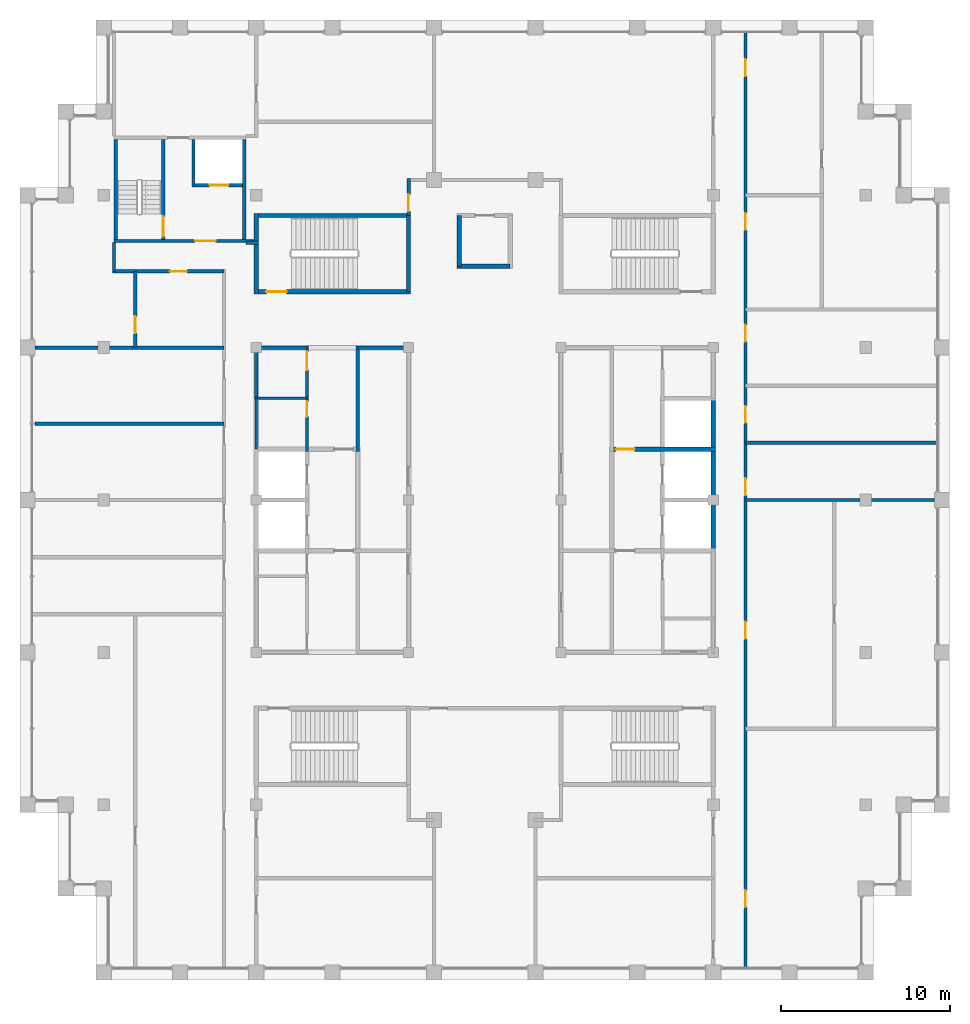
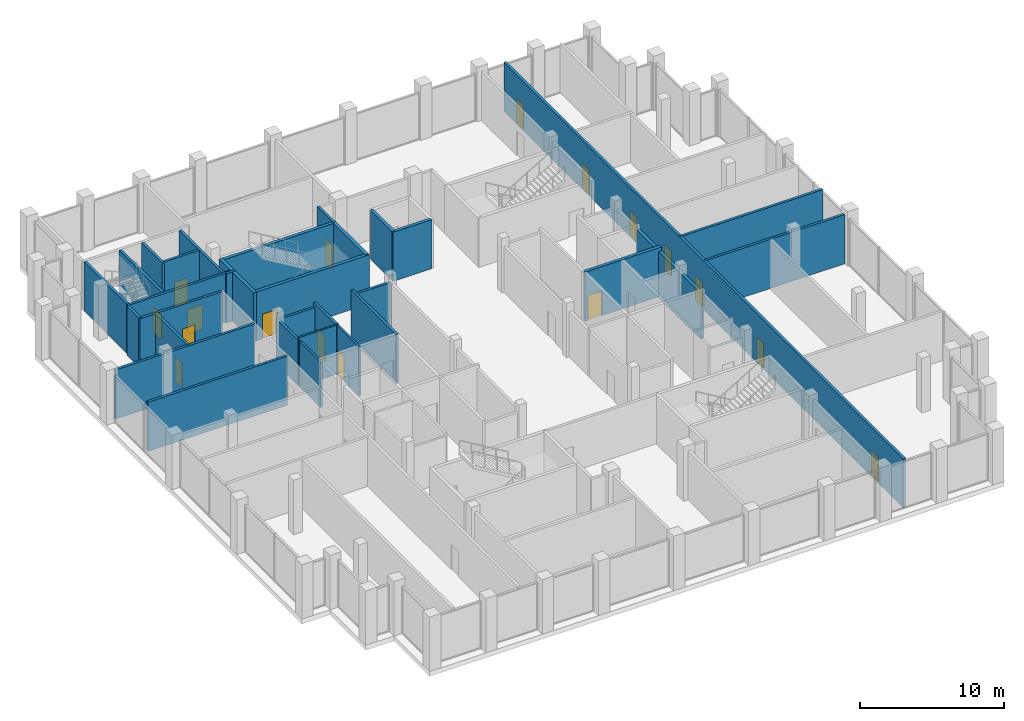
# One storey, part 9 of 12: 32 walls, 17 doors, 17 openings.
"""IFC4 building model written with IfcOpenShell, lengths in metres."""

from ifc_helpers import new_model, si_unit, direction, frame, frame_2d, origin, place, context, subcontext, project, spatial, rectangle, extrude, material, layer, layer_set, type_object, element, fill, save


model = new_model("IFC4")

# Units and contexts
model_context = context("Model", 3, precision=1e-05, world=origin(), true_north=direction((0.0, 1.0)))
body_context = subcontext(model_context, "Body", "Model", "MODEL_VIEW")
ifc_project = project(units=[si_unit("LENGTHUNIT", "METRE"), si_unit("AREAUNIT", "SQUARE_METRE"), si_unit("VOLUMEUNIT", "CUBIC_METRE"), si_unit("PLANEANGLEUNIT", "RADIAN"), si_unit("MASSUNIT", "GRAM", prefix="KILO")], contexts=[model_context])

# Site, building, storey
site_placement = place(None, origin())
site = spatial("IfcSite", under=ifc_project, at=site_placement, CompositionType="ELEMENT")
building_placement = place(site_placement, origin())
building = spatial("IfcBuilding", under=site, at=building_placement, Name="Corbelhall Arena Tower", CompositionType="ELEMENT")
storey_placement = place(building_placement, frame((0.0, 0.0, 356.0)))
storey = spatial("IfcBuildingStorey", under=building, at=storey_placement, Name="L78", CompositionType="ELEMENT", Elevation=356.0)

# Walls
ifc_material_1 = material(Name="Gypsum board on steel stud, acoustic", Category="steel")
ifc_layer_1 = layer(ifc_material_1, 0.199951171875)
ifc_layer_set_1 = layer_set([ifc_layer_1], Name="IN-W-DM200")
wall_type_1 = type_object("IfcWallType", Name="IN-W-DM200", PredefinedType="PARTITIONING", material=ifc_layer_set_1)
for number, where, z_axis, x_axis, name in (
    (1, (-26.550048828125, 4.5, 0.0), (0.0, 0.0, 1.0), (1.0, 0.0, 0.0), "Partition 003"),
    (2, (-26.550048828125, 9.0, 0.0), (0.0, 0.0, 1.0), (1.0, 0.0, 0.0), "Partition 004"),
):
    element("IfcWall", number, at=place(storey_placement, frame(where, z_axis=z_axis, x_axis=x_axis)), inside=storey, type_object=wall_type_1, Name=name, PredefinedType="PARTITIONING", context=body_context, shape_type="SweptSolid", body=[
        extrude(rectangle(XDim=11.150146484375, YDim=0.199951171875, at=frame_2d((5.5751953125, 0.0))), origin(), (0.0, 0.0, 1.0), 4.149658203125),
    ])
wall_1_placement = place(storey_placement, frame((-21.89990234375, 13.5, 0.0), z_axis=(0.0, 0.0, 1.0), x_axis=(0.0, 1.0, 0.0)))
element("IfcWall", 3, at=wall_1_placement, inside=storey, type_object=wall_type_1, Name="Partition 005", PredefinedType="PARTITIONING", context=body_context, shape_type="SweptSolid", body=[
    extrude(rectangle(XDim=1.699951171875, YDim=0.199951171875, at=frame_2d((0.85009765625, 0.0))), origin(), (0.0, 0.0, 1.0), 4.149658203125),
])

# Wall, opening, door
wall_2_placement = place(storey_placement, frame((-20.64990234375, 9.0, 0.0), z_axis=(0.0, 0.0, 1.0), x_axis=(0.0, 1.0, 0.0)))
wall_2 = element("IfcWall", 4, at=wall_2_placement, inside=storey, type_object=wall_type_1, Name="Partition 008", PredefinedType="PARTITIONING", context=body_context, shape_type="SweptSolid", body=[
    extrude(rectangle(XDim=4.5, YDim=0.199951171875, at=frame_2d((2.25, 0.0))), origin(), (0.0, 0.0, 1.0), 4.149658203125),
])
opening_1_placement = place(wall_2_placement, frame((0.85009765625, 0.0, 0.0)))
opening_1 = element("IfcOpeningElement", 5, at=opening_1_placement, cuts=wall_2, Name="Opening 32031", PredefinedType="OPENING", context=body_context, shape_type="SweptSolid", body=[
    extrude(rectangle(XDim=1.0, YDim=2.10009765625, at=frame_2d((0.5, 1.050048828125))), frame((0.0, 0.10009765625, 0.0), z_axis=(0.0, -1.0, 0.0), x_axis=(1.0, 0.0, 0.0)), (0.0, 0.0, 1.0), 0.199951171875),
])
ifc_material_2 = material(Name="Steel door set", Category="steel")
door_type_1 = type_object("IfcDoorType", Name="IN-D-SW100", OperationType="NOTDEFINED", PredefinedType="DOOR", material=ifc_material_2)
door_1_placement = place(opening_1_placement, origin())
door_1 = element("IfcDoor", 6, at=door_1_placement, inside=storey, type_object=door_type_1, Name="Door 031", OperationType="SINGLE_SWING_RIGHT", OverallHeight=2.10009765625, OverallWidth=1.0, PredefinedType="DOOR", context=body_context, shape_type="SweptSolid", body=[
    extrude(rectangle(XDim=1.0, YDim=2.10009765625, at=frame_2d((0.5, 1.050048828125))), frame((0.0, 0.02490234375, 0.0), z_axis=(0.0, -1.0, 0.0), x_axis=(1.0, 0.0, 0.0)), (0.0, 0.0, 1.0), 0.050048828125),
])
fill(opening_1, door_1)

wall_3_placement = place(storey_placement, frame((-15.39990234375, 13.5, 0.0), z_axis=(0.0, 0.0, 1.0), x_axis=(-1.0, 0.0, 0.0)))
wall_3 = element("IfcWall", 7, at=wall_3_placement, inside=storey, type_object=wall_type_1, Name="Partition 009", PredefinedType="PARTITIONING", context=body_context, shape_type="SweptSolid", body=[
    extrude(rectangle(XDim=6.60009765625, YDim=0.199951171875, at=frame_2d((3.300048828125, 0.0))), origin(), (0.0, 0.0, 1.0), 4.149658203125),
])
opening_2_placement = place(wall_3_placement, frame((2.199951171875, 0.0, 0.0)))
opening_2 = element("IfcOpeningElement", 8, at=opening_2_placement, cuts=wall_3, Name="Opening 32030", PredefinedType="OPENING", context=body_context, shape_type="SweptSolid", body=[
    extrude(rectangle(XDim=1.0, YDim=2.10009765625, at=frame_2d((0.5, 1.050048828125))), frame((0.0, 0.10009765625, 0.0), z_axis=(0.0, -1.0, 0.0), x_axis=(1.0, 0.0, 0.0)), (0.0, 0.0, 1.0), 0.199951171875),
])
door_2_placement = place(opening_2_placement, origin())
door_2 = element("IfcDoor", 9, at=door_2_placement, inside=storey, type_object=door_type_1, Name="Door 030", OperationType="SINGLE_SWING_LEFT", OverallHeight=2.10009765625, OverallWidth=1.0, PredefinedType="DOOR", context=body_context, shape_type="SweptSolid", body=[
    extrude(rectangle(XDim=1.0, YDim=2.10009765625, at=frame_2d((0.5, 1.050048828125))), frame((0.0, 0.02490234375, 0.0), z_axis=(0.0, -1.0, 0.0), x_axis=(1.0, 0.0, 0.0)), (0.0, 0.0, 1.0), 0.050048828125),
])
fill(opening_2, door_2)

# Wall
wall_4_placement = place(storey_placement, frame((-14.10009765625, 15.199951171875, 0.0), z_axis=(0.0, 0.0, 1.0), x_axis=(1.0, 0.0, 0.0)))
element("IfcWall", 10, at=wall_4_placement, inside=storey, type_object=wall_type_1, Name="Partition 012", PredefinedType="PARTITIONING", context=body_context, shape_type="SweptSolid", body=[
    extrude(rectangle(XDim=0.72509765625, YDim=0.199951171875, at=frame_2d((0.362548828125, 0.0))), origin(), (0.0, 0.0, 1.0), 4.149658203125),
])

# Wall, opening, door
wall_5_placement = place(storey_placement, frame((-4.5, 16.800048828125, 0.0), z_axis=(0.0, 0.0, 1.0), x_axis=(0.0, 1.0, 0.0)))
wall_5 = element("IfcWall", 11, at=wall_5_placement, inside=storey, type_object=wall_type_1, Name="Partition 019", PredefinedType="PARTITIONING", context=body_context, shape_type="SweptSolid", body=[
    extrude(rectangle(XDim=2.199951171875, YDim=0.199951171875, at=frame_2d((1.10009765625, 0.0))), origin(), (0.0, 0.0, 1.0), 4.149658203125),
])
opening_3_placement = place(wall_5_placement, frame((0.25, 0.0, 0.0)))
opening_3 = element("IfcOpeningElement", 12, at=opening_3_placement, cuts=wall_5, Name="Opening 32021", PredefinedType="OPENING", context=body_context, shape_type="SweptSolid", body=[
    extrude(rectangle(XDim=1.0, YDim=2.10009765625, at=frame_2d((0.5, 1.050048828125))), frame((0.0, 0.10009765625, 0.0), z_axis=(0.0, -1.0, 0.0), x_axis=(1.0, 0.0, 0.0)), (0.0, 0.0, 1.0), 0.199951171875),
])
door_3_placement = place(opening_3_placement, origin())
door_3 = element("IfcDoor", 13, at=door_3_placement, inside=storey, type_object=door_type_1, Name="Door 021", OperationType="SINGLE_SWING_RIGHT", OverallHeight=2.10009765625, OverallWidth=1.0, PredefinedType="DOOR", context=body_context, shape_type="SweptSolid", body=[
    extrude(rectangle(XDim=1.0, YDim=2.10009765625, at=frame_2d((0.5, 1.050048828125))), frame((0.0, 0.02490234375, 0.0), z_axis=(0.0, -1.0, 0.0), x_axis=(1.0, 0.0, 0.0)), (0.0, 0.0, 1.0), 0.050048828125),
])
fill(opening_3, door_3)

# Wall, openings, doors
wall_6_placement = place(storey_placement, frame((15.39990234375, 27.635986328125, 0.0), z_axis=(0.0, 0.0, 1.0), x_axis=(0.0, -1.0, 0.0)))
wall_6 = element("IfcWall", 14, at=wall_6_placement, inside=storey, type_object=wall_type_1, Name="Partition 032", PredefinedType="PARTITIONING", context=body_context, shape_type="SweptSolid", body=[
    extrude(rectangle(XDim=55.27197265625, YDim=0.199951171875, at=frame_2d((27.635986328125, 0.0))), origin(), (0.0, 0.0, 1.0), 4.149658203125),
])
opening_4_placement = place(wall_6_placement, frame((26.361083984375, 0.0, 0.0)))
opening_4 = element("IfcOpeningElement", 15, at=opening_4_placement, cuts=wall_6, Name="Opening 32036", PredefinedType="OPENING", context=body_context, shape_type="SweptSolid", body=[
    extrude(rectangle(XDim=1.0, YDim=2.10009765625, at=frame_2d((0.5, 1.050048828125))), frame((0.0, 0.10009765625, 0.0), z_axis=(0.0, -1.0, 0.0), x_axis=(1.0, 0.0, 0.0)), (0.0, 0.0, 1.0), 0.199951171875),
])
opening_5_placement = place(wall_6_placement, frame((22.0859375, 0.0, 0.0)))
opening_5 = element("IfcOpeningElement", 16, at=opening_5_placement, cuts=wall_6, Name="Opening 32037", PredefinedType="OPENING", context=body_context, shape_type="SweptSolid", body=[
    extrude(rectangle(XDim=1.0, YDim=2.10009765625, at=frame_2d((0.5, 1.050048828125))), frame((0.0, 0.10009765625, 0.0), z_axis=(0.0, -1.0, 0.0), x_axis=(1.0, 0.0, 0.0)), (0.0, 0.0, 1.0), 0.199951171875),
])
opening_6_placement = place(wall_6_placement, frame((17.285888671875, 0.0, 0.0)))
opening_6 = element("IfcOpeningElement", 17, at=opening_6_placement, cuts=wall_6, Name="Opening 32038", PredefinedType="OPENING", context=body_context, shape_type="SweptSolid", body=[
    extrude(rectangle(XDim=1.0, YDim=2.10009765625, at=frame_2d((0.5, 1.050048828125))), frame((0.0, 0.10009765625, 0.0), z_axis=(0.0, -1.0, 0.0), x_axis=(1.0, 0.0, 0.0)), (0.0, 0.0, 1.0), 0.199951171875),
])
opening_7_placement = place(wall_6_placement, frame((10.68603515625, 0.0, 0.0)))
opening_7 = element("IfcOpeningElement", 18, at=opening_7_placement, cuts=wall_6, Name="Opening 32039", PredefinedType="OPENING", context=body_context, shape_type="SweptSolid", body=[
    extrude(rectangle(XDim=1.0, YDim=2.10009765625, at=frame_2d((0.5, 1.050048828125))), frame((0.0, 0.10009765625, 0.0), z_axis=(0.0, -1.0, 0.0), x_axis=(1.0, 0.0, 0.0)), (0.0, 0.0, 1.0), 0.199951171875),
])
opening_8_placement = place(wall_6_placement, frame((1.60009765625, 0.0, 0.0)))
opening_8 = element("IfcOpeningElement", 19, at=opening_8_placement, cuts=wall_6, Name="Opening 32040", PredefinedType="OPENING", context=body_context, shape_type="SweptSolid", body=[
    extrude(rectangle(XDim=1.0, YDim=2.10009765625, at=frame_2d((0.5, 1.050048828125))), frame((0.0, 0.10009765625, 0.0), z_axis=(0.0, -1.0, 0.0), x_axis=(1.0, 0.0, 0.0)), (0.0, 0.0, 1.0), 0.199951171875),
])
opening_9_placement = place(wall_6_placement, frame((50.68603515625, 0.0, 0.0)))
opening_9 = element("IfcOpeningElement", 20, at=opening_9_placement, cuts=wall_6, Name="Opening 32042", PredefinedType="OPENING", context=body_context, shape_type="SweptSolid", body=[
    extrude(rectangle(XDim=1.0, YDim=2.10009765625, at=frame_2d((0.5, 1.050048828125))), frame((0.0, 0.10009765625, 0.0), z_axis=(0.0, -1.0, 0.0), x_axis=(1.0, 0.0, 0.0)), (0.0, 0.0, 1.0), 0.199951171875),
])
opening_10_placement = place(wall_6_placement, frame((34.8359375, 0.0, 0.0)))
opening_10 = element("IfcOpeningElement", 21, at=opening_10_placement, cuts=wall_6, Name="Opening 32043", PredefinedType="OPENING", context=body_context, shape_type="SweptSolid", body=[
    extrude(rectangle(XDim=1.0, YDim=2.10009765625, at=frame_2d((0.5, 1.050048828125))), frame((0.0, 0.10009765625, 0.0), z_axis=(0.0, -1.0, 0.0), x_axis=(1.0, 0.0, 0.0)), (0.0, 0.0, 1.0), 0.199951171875),
])
door_4_placement = place(opening_4_placement, origin())
door_4 = element("IfcDoor", 22, at=door_4_placement, inside=storey, type_object=door_type_1, Name="Door 036", OperationType="SINGLE_SWING_LEFT", OverallHeight=2.10009765625, OverallWidth=1.0, PredefinedType="DOOR", context=body_context, shape_type="SweptSolid", body=[
    extrude(rectangle(XDim=1.0, YDim=2.10009765625, at=frame_2d((0.5, 1.050048828125))), frame((0.0, 0.02490234375, 0.0), z_axis=(0.0, -1.0, 0.0), x_axis=(1.0, 0.0, 0.0)), (0.0, 0.0, 1.0), 0.050048828125),
])
fill(opening_4, door_4)
door_5_placement = place(opening_5_placement, origin())
door_5 = element("IfcDoor", 23, at=door_5_placement, inside=storey, type_object=door_type_1, Name="Door 037", OperationType="SINGLE_SWING_RIGHT", OverallHeight=2.10009765625, OverallWidth=1.0, PredefinedType="DOOR", context=body_context, shape_type="SweptSolid", body=[
    extrude(rectangle(XDim=1.0, YDim=2.10009765625, at=frame_2d((0.5, 1.050048828125))), frame((0.0, 0.02490234375, 0.0), z_axis=(0.0, -1.0, 0.0), x_axis=(1.0, 0.0, 0.0)), (0.0, 0.0, 1.0), 0.050048828125),
])
fill(opening_5, door_5)
door_6_placement = place(opening_6_placement, origin())
door_6 = element("IfcDoor", 24, at=door_6_placement, inside=storey, type_object=door_type_1, Name="Door 038", OperationType="SINGLE_SWING_LEFT", OverallHeight=2.10009765625, OverallWidth=1.0, PredefinedType="DOOR", context=body_context, shape_type="SweptSolid", body=[
    extrude(rectangle(XDim=1.0, YDim=2.10009765625, at=frame_2d((0.5, 1.050048828125))), frame((0.0, 0.02490234375, 0.0), z_axis=(0.0, -1.0, 0.0), x_axis=(1.0, 0.0, 0.0)), (0.0, 0.0, 1.0), 0.050048828125),
])
fill(opening_6, door_6)
door_7_placement = place(opening_7_placement, origin())
door_7 = element("IfcDoor", 25, at=door_7_placement, inside=storey, type_object=door_type_1, Name="Door 039", OperationType="SINGLE_SWING_RIGHT", OverallHeight=2.10009765625, OverallWidth=1.0, PredefinedType="DOOR", context=body_context, shape_type="SweptSolid", body=[
    extrude(rectangle(XDim=1.0, YDim=2.10009765625, at=frame_2d((0.5, 1.050048828125))), frame((0.0, 0.02490234375, 0.0), z_axis=(0.0, -1.0, 0.0), x_axis=(1.0, 0.0, 0.0)), (0.0, 0.0, 1.0), 0.050048828125),
])
fill(opening_7, door_7)
door_8_placement = place(opening_8_placement, origin())
door_8 = element("IfcDoor", 26, at=door_8_placement, inside=storey, type_object=door_type_1, Name="Door 040", OperationType="SINGLE_SWING_LEFT", OverallHeight=2.10009765625, OverallWidth=1.0, PredefinedType="DOOR", context=body_context, shape_type="SweptSolid", body=[
    extrude(rectangle(XDim=1.0, YDim=2.10009765625, at=frame_2d((0.5, 1.050048828125))), frame((0.0, 0.02490234375, 0.0), z_axis=(0.0, -1.0, 0.0), x_axis=(1.0, 0.0, 0.0)), (0.0, 0.0, 1.0), 0.050048828125),
])
fill(opening_8, door_8)
door_9_placement = place(opening_9_placement, origin())
door_9 = element("IfcDoor", 27, at=door_9_placement, inside=storey, type_object=door_type_1, Name="Door 042", OperationType="SINGLE_SWING_LEFT", OverallHeight=2.10009765625, OverallWidth=1.0, PredefinedType="DOOR", context=body_context, shape_type="SweptSolid", body=[
    extrude(rectangle(XDim=1.0, YDim=2.10009765625, at=frame_2d((0.5, 1.050048828125))), frame((0.0, 0.02490234375, 0.0), z_axis=(0.0, -1.0, 0.0), x_axis=(1.0, 0.0, 0.0)), (0.0, 0.0, 1.0), 0.050048828125),
])
fill(opening_9, door_9)
door_10_placement = place(opening_10_placement, origin())
door_10 = element("IfcDoor", 28, at=door_10_placement, inside=storey, type_object=door_type_1, Name="Door 043", OperationType="SINGLE_SWING_RIGHT", OverallHeight=2.10009765625, OverallWidth=1.0, PredefinedType="DOOR", context=body_context, shape_type="SweptSolid", body=[
    extrude(rectangle(XDim=1.0, YDim=2.10009765625, at=frame_2d((0.5, 1.050048828125))), frame((0.0, 0.02490234375, 0.0), z_axis=(0.0, -1.0, 0.0), x_axis=(1.0, 0.0, 0.0)), (0.0, 0.0, 1.0), 0.050048828125),
])
fill(opening_10, door_10)

# Walls
wall_7_placement = place(storey_placement, frame((15.39990234375, 3.375, 0.0), z_axis=(0.0, 0.0, 1.0), x_axis=(1.0, 0.0, 0.0)))
element("IfcWall", 29, at=wall_7_placement, inside=storey, type_object=wall_type_1, Name="Partition 034", PredefinedType="PARTITIONING", context=body_context, shape_type="SweptSolid", body=[
    extrude(rectangle(XDim=11.336181640625, YDim=0.199951171875, at=frame_2d((5.66796875, 0.0))), origin(), (0.0, 0.0, 1.0), 4.149658203125),
])
wall_8_placement = place(storey_placement, frame((26.550048828125, 0.0, 0.0), z_axis=(0.0, 0.0, 1.0), x_axis=(-1.0, 0.0, 0.0)))
element("IfcWall", 30, at=wall_8_placement, inside=storey, type_object=wall_type_1, Name="Partition 040", PredefinedType="PARTITIONING", context=body_context, shape_type="SweptSolid", body=[
    extrude(rectangle(XDim=11.150146484375, YDim=0.199951171875, at=frame_2d((5.5751953125, 0.0))), origin(), (0.0, 0.0, 1.0), 4.149658203125),
])

# Wall, opening, door
ifc_material_3 = material(Name="Concrete C40/50", Category="concrete")
ifc_layer_2 = layer(ifc_material_3, 0.199951171875)
ifc_layer_set_2 = layer_set([ifc_layer_2], Name="IN-W-EAR200")
wall_type_2 = type_object("IfcWallType", Name="IN-W-EAR200", PredefinedType="SOLIDWALL", material=ifc_layer_set_2)
wall_9_placement = place(storey_placement, frame((-21.89990234375, 15.300048828125, 0.0), z_axis=(0.0, 0.0, 1.0), x_axis=(1.0, 0.0, 0.0)))
wall_9 = element("IfcWall", 31, at=wall_9_placement, inside=storey, type_object=wall_type_2, Name="Fire service turret wall south", PredefinedType="SOLIDWALL", context=body_context, shape_type="SweptSolid", body=[
    extrude(rectangle(XDim=8.27490234375, YDim=0.199951171875, at=frame_2d((4.137451171875, 0.0))), origin(), (0.0, 0.0, 1.0), 4.149658203125),
])
opening_11_placement = place(wall_9_placement, frame((4.800048828125, 0.0, 0.0)))
opening_11 = element("IfcOpeningElement", 32, at=opening_11_placement, cuts=wall_9, Name="Opening E322", PredefinedType="OPENING", context=body_context, shape_type="SweptSolid", body=[
    extrude(rectangle(XDim=1.199951171875, YDim=2.10009765625, at=frame_2d((0.60009765625, 1.050048828125))), frame((0.0, 0.10009765625, 0.0), z_axis=(0.0, -1.0, 0.0), x_axis=(1.0, 0.0, 0.0)), (0.0, 0.0, 1.0), 0.199951171875),
])
door_type_2 = type_object("IfcDoorType", Name="IN-D-ST120", OperationType="NOTDEFINED", PredefinedType="DOOR", material=ifc_material_2)
door_11_placement = place(opening_11_placement, origin())
door_11 = element("IfcDoor", 33, at=door_11_placement, inside=storey, type_object=door_type_2, Name="Door from fire service lift lobby to circulation", OperationType="SINGLE_SWING_RIGHT", OverallHeight=2.10009765625, OverallWidth=1.199951171875, PredefinedType="DOOR", context=body_context, shape_type="SweptSolid", body=[
    extrude(rectangle(XDim=1.199951171875, YDim=2.10009765625, at=frame_2d((0.60009765625, 1.050048828125))), frame((0.0, 0.02490234375, 0.0), z_axis=(0.0, -1.0, 0.0), x_axis=(1.0, 0.0, 0.0)), (0.0, 0.0, 1.0), 0.050048828125),
])
fill(opening_11, door_11)

# Walls
for number, where, z_axis, x_axis, name in (
    (34, (-21.800048828125, 15.39990234375, 0.0), (0.0, 0.0, 1.0), (0.0, 1.0, 0.0), "Fire service turret wall west"),
    (35, (-14.199951171875, 15.39990234375, 0.0), (0.0, 0.0, 1.0), (0.0, 1.0, 0.0), "Fire service turret wall east"),
):
    element("IfcWall", number, at=place(storey_placement, frame(where, z_axis=z_axis, x_axis=x_axis)), inside=storey, type_object=wall_type_2, Name=name, PredefinedType="SOLIDWALL", context=body_context, shape_type="SweptSolid", body=[
        extrude(rectangle(XDim=5.900146484375, YDim=0.199951171875, at=frame_2d((2.9501953125, 0.0))), origin(), (0.0, 0.0, 1.0), 4.149658203125),
    ])

# Wall, opening, door
wall_10_placement = place(storey_placement, frame((-18.989990234375, 15.39990234375, 0.0), z_axis=(0.0, 0.0, 1.0), x_axis=(0.0, 1.0, 0.0)))
wall_10 = element("IfcWall", 36, at=wall_10_placement, inside=storey, type_object=wall_type_2, Name="Fire service turret wall stair", PredefinedType="SOLIDWALL", context=body_context, shape_type="SweptSolid", body=[
    extrude(rectangle(XDim=5.900146484375, YDim=0.199951171875, at=frame_2d((2.9501953125, 0.0))), origin(), (0.0, 0.0, 1.0), 4.149658203125),
])
opening_12_placement = place(wall_10_placement, frame((0.14990234375, 0.0, 0.0)))
opening_12 = element("IfcOpeningElement", 37, at=opening_12_placement, cuts=wall_10, Name="Opening E321", PredefinedType="OPENING", context=body_context, shape_type="SweptSolid", body=[
    extrude(rectangle(XDim=1.199951171875, YDim=2.10009765625, at=frame_2d((0.60009765625, 1.050048828125))), frame((0.0, 0.10009765625, 0.0), z_axis=(0.0, -1.0, 0.0), x_axis=(1.0, 0.0, 0.0)), (0.0, 0.0, 1.0), 0.199951171875),
])
door_12_placement = place(opening_12_placement, origin())
door_12 = element("IfcDoor", 38, at=door_12_placement, inside=storey, type_object=door_type_2, Name="Stair door to fire service lobby", OperationType="SINGLE_SWING_LEFT", OverallHeight=2.10009765625, OverallWidth=1.199951171875, PredefinedType="DOOR", context=body_context, shape_type="SweptSolid", body=[
    extrude(rectangle(XDim=1.199951171875, YDim=2.10009765625, at=frame_2d((0.60009765625, 1.050048828125))), frame((0.0, 0.02490234375, 0.0), z_axis=(0.0, -1.0, 0.0), x_axis=(1.0, 0.0, 0.0)), (0.0, 0.0, 1.0), 0.050048828125),
])
fill(opening_12, door_12)

# Wall
wall_11_placement = place(storey_placement, frame((-17.199951171875, 18.5, 0.0), z_axis=(0.0, 0.0, 1.0), x_axis=(0.0, 1.0, 0.0)))
element("IfcWall", 39, at=wall_11_placement, inside=storey, type_object=wall_type_2, Name="Fire service turret wall hoistway west", PredefinedType="SOLIDWALL", context=body_context, shape_type="SweptSolid", body=[
    extrude(rectangle(XDim=2.800048828125, YDim=0.199951171875, at=frame_2d((1.39990234375, 0.0))), origin(), (0.0, 0.0, 1.0), 4.149658203125),
])

# Wall, opening, door
wall_12_placement = place(storey_placement, frame((-17.10009765625, 18.60009765625, 0.0), z_axis=(0.0, 0.0, 1.0), x_axis=(1.0, 0.0, 0.0)))
wall_12 = element("IfcWall", 40, at=wall_12_placement, inside=storey, type_object=wall_type_2, Name="Fire service turret wall hoistway south", PredefinedType="SOLIDWALL", context=body_context, shape_type="SweptSolid", body=[
    extrude(rectangle(XDim=2.800048828125, YDim=0.199951171875, at=frame_2d((1.39990234375, 0.0))), origin(), (0.0, 0.0, 1.0), 4.149658203125),
])
opening_13_placement = place(wall_12_placement, frame((0.85009765625, 0.0, 0.0)))
opening_13 = element("IfcOpeningElement", 41, at=opening_13_placement, cuts=wall_12, Name="Opening LD", PredefinedType="OPENING", context=body_context, shape_type="SweptSolid", body=[
    extrude(rectangle(XDim=1.10009765625, YDim=2.10009765625, at=frame_2d((0.550048828125, 1.050048828125))), frame((0.0, 0.10009765625, 0.0), z_axis=(0.0, -1.0, 0.0), x_axis=(1.0, 0.0, 0.0)), (0.0, 0.0, 1.0), 0.199951171875),
])
door_type_3 = type_object("IfcDoorType", Name="IN-D-LD110", OperationType="NOTDEFINED", PredefinedType="DOOR", material=ifc_material_2)
door_13_placement = place(opening_13_placement, origin())
door_13 = element("IfcDoor", 42, at=door_13_placement, inside=storey, type_object=door_type_3, Name="Landing door FS1", OperationType="SLIDING_TO_LEFT", OverallHeight=2.10009765625, OverallWidth=1.10009765625, PredefinedType="DOOR", context=body_context, shape_type="SweptSolid", body=[
    extrude(rectangle(XDim=1.10009765625, YDim=2.10009765625, at=frame_2d((0.550048828125, 1.050048828125))), frame((0.0, 0.02490234375, 0.0), z_axis=(0.0, -1.0, 0.0), x_axis=(1.0, 0.0, 0.0)), (0.0, 0.0, 1.0), 0.050048828125),
])
fill(opening_13, door_13)

ifc_material_4 = material(Name="Concrete block wall", Category="concrete")
ifc_layer_3 = layer(ifc_material_4, 0.199951171875)
ifc_layer_set_3 = layer_set([ifc_layer_3], Name="IN-W-RS200")
wall_type_3 = type_object("IfcWallType", Name="IN-W-RS200", PredefinedType="SOLIDWALL", material=ifc_layer_set_3)
wall_13_placement = place(storey_placement, frame((-10.5, 5.925048828125, 0.0), z_axis=(0.0, 0.0, 1.0), x_axis=(0.0, 1.0, 0.0)))
wall_13 = element("IfcWall", 43, at=wall_13_placement, inside=storey, type_object=wall_type_3, Name="Partition 045", PredefinedType="SOLIDWALL", context=body_context, shape_type="SweptSolid", body=[
    extrude(rectangle(XDim=3.175048828125, YDim=0.199951171875, at=frame_2d((1.58740234375, 0.0))), origin(), (0.0, 0.0, 1.0), 4.149658203125),
])
opening_14_placement = place(wall_13_placement, frame((1.75, 0.0, 0.0)))
opening_14 = element("IfcOpeningElement", 44, at=opening_14_placement, cuts=wall_13, Name="Opening 32008", PredefinedType="OPENING", context=body_context, shape_type="SweptSolid", body=[
    extrude(rectangle(XDim=1.10009765625, YDim=2.10009765625, at=frame_2d((0.550048828125, 1.050048828125))), frame((0.0, 0.10009765625, 0.0), z_axis=(0.0, -1.0, 0.0), x_axis=(1.0, 0.0, 0.0)), (0.0, 0.0, 1.0), 0.199951171875),
])
door_type_4 = type_object("IfcDoorType", Name="IN-D-FD110", OperationType="NOTDEFINED", PredefinedType="DOOR", material=ifc_material_2)
door_14_placement = place(opening_14_placement, origin())
door_14 = element("IfcDoor", 45, at=door_14_placement, inside=storey, type_object=door_type_4, Name="Door 008", OperationType="SINGLE_SWING_LEFT", OverallHeight=2.10009765625, OverallWidth=1.10009765625, PredefinedType="DOOR", context=body_context, shape_type="SweptSolid", body=[
    extrude(rectangle(XDim=1.10009765625, YDim=2.10009765625, at=frame_2d((0.550048828125, 1.050048828125))), frame((0.0, 0.02490234375, 0.0), z_axis=(0.0, -1.0, 0.0), x_axis=(1.0, 0.0, 0.0)), (0.0, 0.0, 1.0), 0.050048828125),
])
fill(opening_14, door_14)

# Walls
wall_14_placement = place(storey_placement, frame((-7.5, 2.875, 0.0), z_axis=(0.0, 0.0, 1.0), x_axis=(0.0, 1.0, 0.0)))
element("IfcWall", 46, at=wall_14_placement, inside=storey, type_object=wall_type_3, Name="Partition 048", PredefinedType="SOLIDWALL", context=body_context, shape_type="SweptSolid", body=[
    extrude(rectangle(XDim=6.22509765625, YDim=0.199951171875, at=frame_2d((3.112548828125, 0.0))), origin(), (0.0, 0.0, 1.0), 4.149658203125),
])
ifc_layer_4 = layer(ifc_material_4, 0.199951171875)
ifc_layer_set_4 = layer_set([ifc_layer_4], Name="IN-W-RS200 under beam 312 mm")
wall_type_4 = type_object("IfcWallType", Name="IN-W-RS200 under beam 312 mm", PredefinedType="SOLIDWALL", material=ifc_layer_set_4)
wall_15_placement = place(storey_placement, frame((-13.5, 6.0, 0.0), z_axis=(0.0, 0.0, 1.0), x_axis=(0.0, 1.0, 0.0)))
element("IfcWall", 47, at=wall_15_placement, inside=storey, type_object=wall_type_4, Name="Partition 042", PredefinedType="SOLIDWALL", context=body_context, shape_type="SweptSolid", body=[
    extrude(rectangle(XDim=3.10009765625, YDim=0.199951171875, at=frame_2d((1.550048828125, 0.0))), origin(), (0.0, 0.0, 1.0), 3.837646484375),
])
for number, where, z_axis, x_axis, name in (
    (48, (-13.5, 9.0, 0.0), (0.0, 0.0, 1.0), (1.0, 0.0, 0.0), "Partition 043"),
    (49, (-7.5, 9.0, 0.0), (0.0, 0.0, 1.0), (1.0, 0.0, 0.0), "Partition 049"),
):
    element("IfcWall", number, at=place(storey_placement, frame(where, z_axis=z_axis, x_axis=x_axis)), inside=storey, type_object=wall_type_4, Name=name, PredefinedType="SOLIDWALL", context=body_context, shape_type="SweptSolid", body=[
        extrude(rectangle(XDim=3.0, YDim=0.199951171875, at=frame_2d((1.5, 0.0))), origin(), (0.0, 0.0, 1.0), 3.837646484375),
    ])
ifc_layer_5 = layer(ifc_material_3, 0.25)
ifc_layer_set_5 = layer_set([ifc_layer_5], Name="IN-W-SH250")
wall_type_5 = type_object("IfcWallType", Name="IN-W-SH250", PredefinedType="SOLIDWALL", material=ifc_layer_set_5)
wall_16_placement = place(storey_placement, frame((-1.5, 13.800048828125, 0.0), z_axis=(0.0, 0.0, 1.0), x_axis=(0.0, 1.0, 0.0)))
element("IfcWall", 50, at=wall_16_placement, inside=storey, type_object=wall_type_5, Name="Shaft wall 070", PredefinedType="SOLIDWALL", context=body_context, shape_type="SweptSolid", body=[
    extrude(rectangle(XDim=3.0, YDim=0.25, at=frame_2d((1.5, 0.0))), origin(), (0.0, 0.0, 1.0), 4.149658203125),
])
wall_17_placement = place(storey_placement, frame((1.5, 13.800048828125, 0.0), z_axis=(0.0, 0.0, 1.0), x_axis=(-1.0, 0.0, 0.0)))
element("IfcWall", 51, at=wall_17_placement, inside=storey, type_object=wall_type_5, Name="Shaft wall 071", PredefinedType="SOLIDWALL", context=body_context, shape_type="SweptSolid", body=[
    extrude(rectangle(XDim=3.125, YDim=0.25, at=frame_2d((1.5625, 0.0))), origin(), (0.0, 0.0, 1.0), 4.149658203125),
])

# Wall, opening, door
wall_18_placement = place(storey_placement, frame((7.5, 3.0, 0.0), z_axis=(0.0, 0.0, 1.0), x_axis=(1.0, 0.0, 0.0)))
wall_18 = element("IfcWall", 52, at=wall_18_placement, inside=storey, type_object=wall_type_5, Name="Shaft wall 074", PredefinedType="SOLIDWALL", context=body_context, shape_type="SweptSolid", body=[
    extrude(rectangle(XDim=6.125, YDim=0.25, at=frame_2d((3.0625, 0.0))), origin(), (0.0, 0.0, 1.0), 4.149658203125),
])
opening_15_placement = place(wall_18_placement, frame((0.25, 0.0, 0.0)))
opening_15 = element("IfcOpeningElement", 53, at=opening_15_placement, cuts=wall_18, Name="Opening 32012", PredefinedType="OPENING", context=body_context, shape_type="SweptSolid", body=[
    extrude(rectangle(XDim=1.10009765625, YDim=2.10009765625, at=frame_2d((0.550048828125, 1.050048828125))), frame((0.0, 0.125, 0.0), z_axis=(0.0, -1.0, 0.0), x_axis=(1.0, 0.0, 0.0)), (0.0, 0.0, 1.0), 0.25),
])
door_15_placement = place(opening_15_placement, origin())
door_15 = element("IfcDoor", 54, at=door_15_placement, inside=storey, type_object=door_type_4, Name="Door 012", OperationType="SINGLE_SWING_LEFT", OverallHeight=2.10009765625, OverallWidth=1.10009765625, PredefinedType="DOOR", context=body_context, shape_type="SweptSolid", body=[
    extrude(rectangle(XDim=1.10009765625, YDim=2.10009765625, at=frame_2d((0.550048828125, 1.050048828125))), frame((0.0, 0.02490234375, 0.0), z_axis=(0.0, -1.0, 0.0), x_axis=(1.0, 0.0, 0.0)), (0.0, 0.0, 1.0), 0.050048828125),
])
fill(opening_15, door_15)

# Wall
ifc_layer_6 = layer(ifc_material_3, 0.25)
ifc_layer_set_6 = layer_set([ifc_layer_6], Name="IN-W-SH250 under beam 312 mm")
wall_type_6 = type_object("IfcWallType", Name="IN-W-SH250 under beam 312 mm", PredefinedType="SOLIDWALL", material=ifc_layer_set_6)
wall_19_placement = place(storey_placement, frame((13.5, 6.0, 0.0), z_axis=(0.0, 0.0, 1.0), x_axis=(0.0, -1.0, 0.0)))
element("IfcWall", 55, at=wall_19_placement, inside=storey, type_object=wall_type_6, Name="Shaft wall 079", PredefinedType="SOLIDWALL", context=body_context, shape_type="SweptSolid", body=[
    extrude(rectangle(XDim=9.0, YDim=0.25, at=frame_2d((4.5, 0.0))), origin(), (0.0, 0.0, 1.0), 3.837646484375),
])

# Wall, opening, door
ifc_layer_7 = layer(ifc_material_3, 0.25)
ifc_layer_set_7 = layer_set([ifc_layer_7], Name="IN-W-ST250")
wall_type_7 = type_object("IfcWallType", Name="IN-W-ST250", PredefinedType="SOLIDWALL", material=ifc_layer_set_7)
wall_20_placement = place(storey_placement, frame((-13.5, 12.300048828125, 0.0), z_axis=(0.0, 0.0, 1.0), x_axis=(1.0, 0.0, 0.0)))
wall_20 = element("IfcWall", 56, at=wall_20_placement, inside=storey, type_object=wall_type_7, Name="Shaft wall 081", PredefinedType="SOLIDWALL", context=body_context, shape_type="SweptSolid", body=[
    extrude(rectangle(XDim=9.125, YDim=0.25, at=frame_2d((4.5625, 0.0))), origin(), (0.0, 0.0, 1.0), 4.149658203125),
])
opening_16_placement = place(wall_20_placement, frame((0.60009765625, 0.0, 0.0)))
opening_16 = element("IfcOpeningElement", 57, at=opening_16_placement, cuts=wall_20, Name="Opening 32016", PredefinedType="OPENING", context=body_context, shape_type="SweptSolid", body=[
    extrude(rectangle(XDim=1.199951171875, YDim=2.10009765625, at=frame_2d((0.60009765625, 1.050048828125))), frame((0.0, 0.125, 0.0), z_axis=(0.0, -1.0, 0.0), x_axis=(1.0, 0.0, 0.0)), (0.0, 0.0, 1.0), 0.25),
])
door_16_placement = place(opening_16_placement, origin())
door_16 = element("IfcDoor", 58, at=door_16_placement, inside=storey, type_object=door_type_2, Name="Door 016", OperationType="SINGLE_SWING_LEFT", OverallHeight=2.10009765625, OverallWidth=1.199951171875, PredefinedType="DOOR", context=body_context, shape_type="SweptSolid", body=[
    extrude(rectangle(XDim=1.199951171875, YDim=2.10009765625, at=frame_2d((0.60009765625, 1.050048828125))), frame((0.0, 0.02490234375, 0.0), z_axis=(0.0, -1.0, 0.0), x_axis=(1.0, 0.0, 0.0)), (0.0, 0.0, 1.0), 0.050048828125),
])
fill(opening_16, door_16)

# Walls
wall_21_placement = place(storey_placement, frame((-13.5, 12.175048828125, 0.0), z_axis=(0.0, 0.0, 1.0), x_axis=(0.0, 1.0, 0.0)))
element("IfcWall", 59, at=wall_21_placement, inside=storey, type_object=wall_type_7, Name="Shaft wall 082", PredefinedType="SOLIDWALL", context=body_context, shape_type="SweptSolid", body=[
    extrude(rectangle(XDim=4.75, YDim=0.25, at=frame_2d((2.375, 0.0))), origin(), (0.0, 0.0, 1.0), 4.149658203125),
])
wall_22_placement = place(storey_placement, frame((-13.5, 16.800048828125, 0.0), z_axis=(0.0, 0.0, 1.0), x_axis=(1.0, 0.0, 0.0)))
element("IfcWall", 60, at=wall_22_placement, inside=storey, type_object=wall_type_7, Name="Shaft wall 083", PredefinedType="SOLIDWALL", context=body_context, shape_type="SweptSolid", body=[
    extrude(rectangle(XDim=9.10009765625, YDim=0.25, at=frame_2d((4.550048828125, 0.0))), origin(), (0.0, 0.0, 1.0), 4.149658203125),
])
wall_23_placement = place(storey_placement, frame((-4.5, 16.925048828125, 0.0), z_axis=(0.0, 0.0, 1.0), x_axis=(0.0, -1.0, 0.0)))
element("IfcWall", 61, at=wall_23_placement, inside=storey, type_object=wall_type_7, Name="Shaft wall 085", PredefinedType="SOLIDWALL", context=body_context, shape_type="SweptSolid", body=[
    extrude(rectangle(XDim=4.625, YDim=0.25, at=frame_2d((2.3125, 0.0))), origin(), (0.0, 0.0, 1.0), 4.149658203125),
])
ifc_material_5 = material(Name="Gypsum board on steel stud, moisture resistant", Category="steel")
ifc_layer_8 = layer(ifc_material_5, 0.14990234375)
ifc_layer_set_8 = layer_set([ifc_layer_8], Name="IN-W-WC150")
wall_type_8 = type_object("IfcWallType", Name="IN-W-WC150", PredefinedType="PARTITIONING", material=ifc_layer_set_8)
wall_24_placement = place(storey_placement, frame((-13.60009765625, 6.0, 0.0), z_axis=(0.0, 0.0, 1.0), x_axis=(1.0, 0.0, 0.0)))
element("IfcWall", 62, at=wall_24_placement, inside=storey, type_object=wall_type_8, Name="Partition 097", PredefinedType="PARTITIONING", context=body_context, shape_type="SweptSolid", body=[
    extrude(rectangle(XDim=3.10009765625, YDim=0.14990234375, at=frame_2d((1.550048828125, 0.0))), origin(), (0.0, 0.0, 1.0), 4.149658203125),
])

# Wall, opening, door
wall_25_placement = place(storey_placement, frame((-10.5, 2.875, 0.0), z_axis=(0.0, 0.0, 1.0), x_axis=(0.0, 1.0, 0.0)))
wall_25 = element("IfcWall", 63, at=wall_25_placement, inside=storey, type_object=wall_type_8, Name="Partition 102", PredefinedType="PARTITIONING", context=body_context, shape_type="SweptSolid", body=[
    extrude(rectangle(XDim=3.199951171875, YDim=0.14990234375, at=frame_2d((1.60009765625, 0.0))), origin(), (0.0, 0.0, 1.0), 4.149658203125),
])
opening_17_placement = place(wall_25_placement, frame((2.050048828125, 0.0, 0.0)))
opening_17 = element("IfcOpeningElement", 64, at=opening_17_placement, cuts=wall_25, Name="Opening 32007", PredefinedType="OPENING", context=body_context, shape_type="SweptSolid", body=[
    extrude(rectangle(XDim=0.89990234375, YDim=2.10009765625, at=frame_2d((0.449951171875, 1.050048828125))), frame((0.0, 0.074951171875, 0.0), z_axis=(0.0, -1.0, 0.0), x_axis=(1.0, 0.0, 0.0)), (0.0, 0.0, 1.0), 0.14990234375),
])
ifc_material_6 = material(Name="Timber door set", Category="wood")
door_type_5 = type_object("IfcDoorType", Name="IN-D-SW90", OperationType="NOTDEFINED", PredefinedType="DOOR", material=ifc_material_6)
door_17_placement = place(opening_17_placement, origin())
door_17 = element("IfcDoor", 65, at=door_17_placement, inside=storey, type_object=door_type_5, Name="Door 007", OperationType="SINGLE_SWING_RIGHT", OverallHeight=2.10009765625, OverallWidth=0.89990234375, PredefinedType="DOOR", context=body_context, shape_type="SweptSolid", body=[
    extrude(rectangle(XDim=0.89990234375, YDim=2.10009765625, at=frame_2d((0.449951171875, 1.050048828125))), frame((0.0, 0.02490234375, 0.0), z_axis=(0.0, -1.0, 0.0), x_axis=(1.0, 0.0, 0.0)), (0.0, 0.0, 1.0), 0.050048828125),
])
fill(opening_17, door_17)

# Wall
ifc_layer_9 = layer(ifc_material_5, 0.14990234375)
ifc_layer_set_9 = layer_set([ifc_layer_9], Name="IN-W-WC150 under beam 312 mm")
wall_type_9 = type_object("IfcWallType", Name="IN-W-WC150 under beam 312 mm", PredefinedType="PARTITIONING", material=ifc_layer_set_9)
wall_26_placement = place(storey_placement, frame((-13.5, 3.0, 0.0), z_axis=(0.0, 0.0, 1.0), x_axis=(0.0, 1.0, 0.0)))
element("IfcWall", 66, at=wall_26_placement, inside=storey, type_object=wall_type_9, Name="Partition 099", PredefinedType="PARTITIONING", context=body_context, shape_type="SweptSolid", body=[
    extrude(rectangle(XDim=3.0, YDim=0.14990234375, at=frame_2d((1.5, 0.0))), origin(), (0.0, 0.0, 1.0), 3.837646484375),
])

save(model, "model.ifc")
